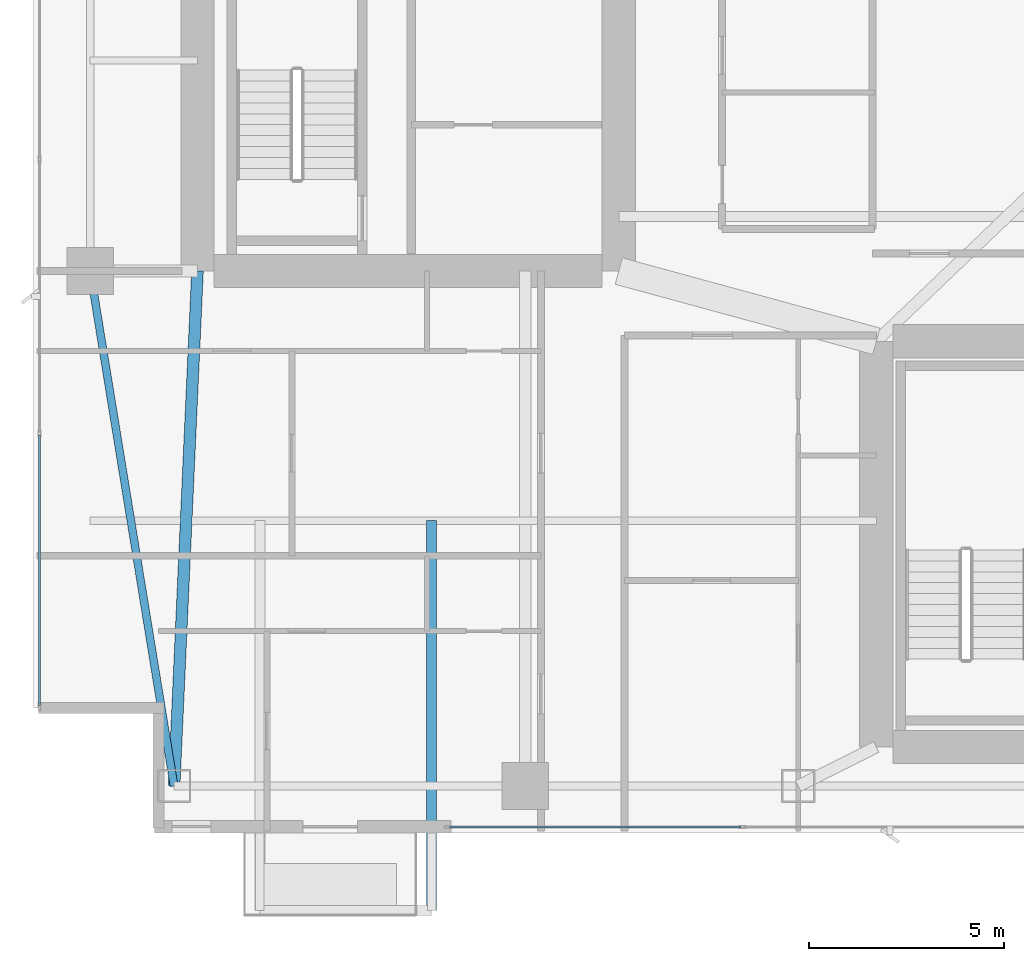
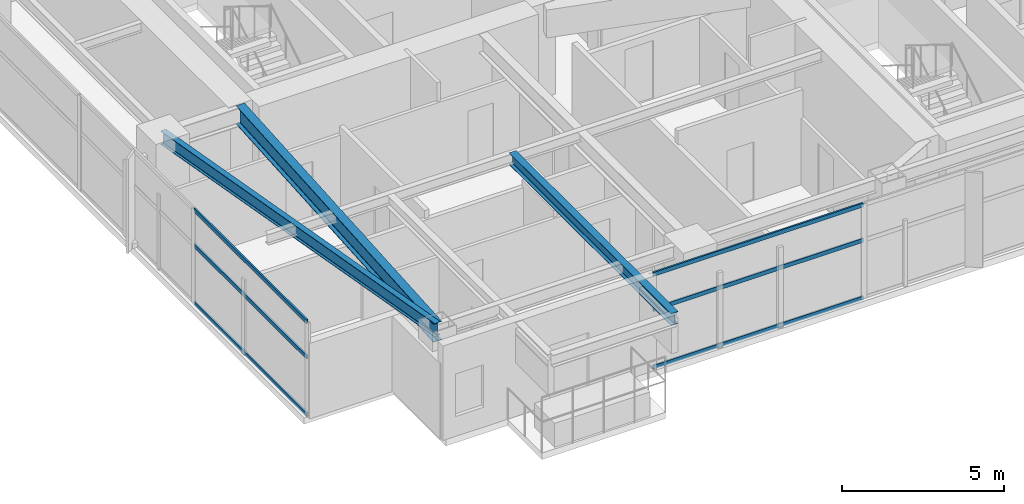
# One storey, part 3 of 28: 6 members, 3 beams, 2 elements without a shape of their own.
"""IFC4 building model written with IfcOpenShell, lengths in metres."""

from ifc_helpers import new_model, si_unit, direction, frame, origin, origin_2d, place, context, subcontext, project, spatial, hollow_rectangle, i_section, extrude, material, layer, layer_set, material_profile, profile_set, type_object, element, aggregate, save


model = new_model("IFC4")

# Units and contexts
model_context = context("Model", 3, precision=1e-05, world=origin(), true_north=direction((0.0, 1.0)))
body_context = subcontext(model_context, "Body", "Model", "MODEL_VIEW")
ifc_project = project(units=[si_unit("LENGTHUNIT", "METRE"), si_unit("AREAUNIT", "SQUARE_METRE"), si_unit("VOLUMEUNIT", "CUBIC_METRE"), si_unit("PLANEANGLEUNIT", "RADIAN"), si_unit("MASSUNIT", "GRAM", prefix="KILO")], contexts=[model_context])

# Site, building, storey
site_placement = place(None, origin())
site = spatial("IfcSite", under=ifc_project, at=site_placement, CompositionType="ELEMENT")
building_placement = place(site_placement, origin())
building = spatial("IfcBuilding", under=site, at=building_placement, Name="Calvorn Quay Hotel", CompositionType="ELEMENT")
storey_placement = place(building_placement, frame((0.0, 0.0, 101.199951171875)))
storey = spatial("IfcBuildingStorey", under=building, at=storey_placement, Name="L24", CompositionType="ELEMENT", Elevation=101.199951171875)

# Beams
ifc_material_1 = material(Name="Steel Q355B", Category="steel")
ifc_material_profile_1 = material_profile(ifc_material_1, i_section(OverallWidth=0.25, OverallDepth=0.449951171875, WebThickness=0.011962890625, FlangeThickness=0.01611328125, FilletRadius=0.01611328125, at=origin_2d()), Name="HN450x250x12x16")
ifc_profile_set_1 = profile_set([ifc_material_profile_1], Name="Steel Q355B")
beam_type_1 = type_object("IfcBeamType", Name="BM-CANT-BALC", PredefinedType="BEAM", material=ifc_profile_set_1)
beam_1_placement = place(storey_placement, frame((10.199951171875, 10.39990234375, 3.31494140625), z_axis=(0.0, -1.0, 0.0), x_axis=(1.0, 0.0, 0.0)))
element("IfcBeam", 1, at=beam_1_placement, inside=storey, type_object=beam_type_1, Name="Cantilever Balcony Beam BCB-L25-2B", PredefinedType="BEAM", context=body_context, shape_type="SweptSolid", body=[
    extrude(i_section(OverallWidth=0.25, OverallDepth=0.449951171875, WebThickness=0.011962890625, FlangeThickness=0.01611328125, FilletRadius=0.01611328125, at=origin_2d()), origin(), (0.0, 0.0, 1.0), 9.989990234375),
])
ifc_material_2 = material(Name="Steel Q390GJC", Category="steel")
ifc_material_profile_2 = material_profile(ifc_material_2, i_section(OverallWidth=0.300048828125, OverallDepth=0.699951171875, WebThickness=0.012939453125, FlangeThickness=0.02392578125, FilletRadius=0.02392578125, at=origin_2d()), Name="HN700x300x13x24")
ifc_profile_set_2 = profile_set([ifc_material_profile_2], Name="Steel Q390GJC")
beam_type_2 = type_object("IfcBeamType", Name="BM-GIRD-MAIN", PredefinedType="BEAM", material=ifc_profile_set_2)
beam_2_placement = place(storey_placement, frame((3.60009765625, 3.60009765625, 3.18994140625), z_axis=(0.045396765494, 0.998969035397, 0.0), x_axis=(-0.998969035397, 0.045396765494, 0.0)))
element("IfcBeam", 2, at=beam_2_placement, inside=storey, type_object=beam_type_2, Name="Beam BG-L24-W0", PredefinedType="BEAM", context=body_context, shape_type="SweptSolid", body=[
    extrude(i_section(OverallWidth=0.300048828125, OverallDepth=0.699951171875, WebThickness=0.012939453125, FlangeThickness=0.02392578125, FilletRadius=0.02392578125, at=origin_2d()), origin(), (0.0, 0.0, 1.0), 13.213623046875),
])
ifc_material_3 = material(Name="Steel Q355B", Category="steel")
ifc_material_profile_3 = material_profile(ifc_material_3, i_section(OverallWidth=0.199951171875, OverallDepth=0.5, WebThickness=0.010009765625, FlangeThickness=0.01611328125, FilletRadius=0.01611328125, at=origin_2d()), Name="HN500x200x10x16")
ifc_profile_set_3 = profile_set([ifc_material_profile_3], Name="Steel Q355B")
beam_type_3 = type_object("IfcBeamType", Name="BM-SPANDREL-Z1", PredefinedType="SPANDREL", material=ifc_profile_set_3)
beam_3_placement = place(storey_placement, frame((3.60009765625, 3.60009765625, 3.2900390625), z_axis=(-0.16077155054, 0.986991645627, 0.0), x_axis=(-0.986991645627, -0.16077155054, 0.0)))
element("IfcBeam", 3, at=beam_3_placement, inside=storey, type_object=beam_type_3, Name="Beam BSP-L24-W1", PredefinedType="SPANDREL", context=body_context, shape_type="SweptSolid", body=[
    extrude(i_section(OverallWidth=0.199951171875, OverallDepth=0.5, WebThickness=0.010009765625, FlangeThickness=0.01611328125, FilletRadius=0.01611328125, at=origin_2d()), origin(), (0.0, 0.0, 1.0), 13.3740234375),
])

# Curtain wall, members
ifc_material_4 = material(Name="Pale Anodised Aluminium and Low-E Glass", Category="aluminium")
ifc_layer = layer(ifc_material_4, 0.219970703125)
ifc_layer_set = layer_set([ifc_layer], Name="CW-SYS-Z2")
curtain_wall_type = type_object("IfcCurtainWallType", Name="CW-SYS-Z2", PredefinedType="NOTDEFINED", material=ifc_layer_set)
curtain_wall_1_placement = place(storey_placement, origin())
curtain_wall_1 = element("IfcCurtainWall", 4, at=curtain_wall_1_placement, inside=storey, type_object=curtain_wall_type, Name="Tower West Curtain Wall (L24)", PredefinedType="NOTDEFINED")
ifc_material_5 = material(Name="Pale Anodised Aluminium 6063-T6", Category="aluminium")
ifc_material_profile_4 = material_profile(ifc_material_5, hollow_rectangle(XDim=0.06005859375, YDim=0.14990234375, WallThickness=0.00341796875, at=origin_2d()), Name="ALU-T150x60x3.5")
ifc_profile_set_4 = profile_set([ifc_material_profile_4], Name="Pale Anodised Aluminium 6063-T6")
member_type = type_object("IfcMemberType", Name="CW-SYS-Z2-TRN", PredefinedType="USERDEFINED", material=ifc_profile_set_4)
member_1_placement = place(storey_placement, frame((0.14990234375, 5.659912109375, 0.030029296875), z_axis=(0.0, 1.0, 0.0), x_axis=(-1.0, 0.0, 0.0)))
member_1 = element("IfcMember", 5, at=member_1_placement, type_object=member_type, Name="CW-L24-W transom 1.1", ObjectType="TRANSOM", PredefinedType="USERDEFINED", context=body_context, shape_type="SweptSolid", body=[
    extrude(hollow_rectangle(XDim=0.06005859375, YDim=0.14990234375, WallThickness=0.00341796875, at=origin_2d()), origin(), (0.0, 0.0, 1.0), 6.943359375),
])
member_2_placement = place(storey_placement, frame((0.14990234375, 5.659912109375, 2.199951171875), z_axis=(0.0, 1.0, 0.0), x_axis=(-1.0, 0.0, 0.0)))
member_2 = element("IfcMember", 6, at=member_2_placement, type_object=member_type, Name="CW-L24-W transom 1.2", ObjectType="TRANSOM", PredefinedType="USERDEFINED", context=body_context, shape_type="SweptSolid", body=[
    extrude(hollow_rectangle(XDim=0.06005859375, YDim=0.14990234375, WallThickness=0.00341796875, at=origin_2d()), origin(), (0.0, 0.0, 1.0), 6.943359375),
])
member_3_placement = place(storey_placement, frame((0.14990234375, 5.659912109375, 3.530029296875), z_axis=(0.0, 1.0, 0.0), x_axis=(-1.0, 0.0, 0.0)))
member_3 = element("IfcMember", 7, at=member_3_placement, type_object=member_type, Name="CW-L24-W transom 1.3", ObjectType="TRANSOM", PredefinedType="USERDEFINED", context=body_context, shape_type="SweptSolid", body=[
    extrude(hollow_rectangle(XDim=0.06005859375, YDim=0.14990234375, WallThickness=0.00341796875, at=origin_2d()), origin(), (0.0, 0.0, 1.0), 6.943359375),
])
aggregate(curtain_wall_1, [member_1, member_2, member_3])

curtain_wall_2_placement = place(storey_placement, origin())
curtain_wall_2 = element("IfcCurtainWall", 8, at=curtain_wall_2_placement, inside=storey, type_object=curtain_wall_type, Name="Tower South Waterfront Curtain Wall (L24)", PredefinedType="NOTDEFINED")
member_4_placement = place(storey_placement, frame((10.659912109375, 2.550048828125, 0.030029296875), z_axis=(1.0, 0.0, 0.0), x_axis=(0.0, 1.0, 0.0)))
member_4 = element("IfcMember", 9, at=member_4_placement, type_object=member_type, Name="CW-L24-S transom 1.1", ObjectType="TRANSOM", PredefinedType="USERDEFINED", context=body_context, shape_type="SweptSolid", body=[
    extrude(hollow_rectangle(XDim=0.06005859375, YDim=0.14990234375, WallThickness=0.00341796875, at=origin_2d()), origin(), (0.0, 0.0, 1.0), 7.476806640625),
])
member_5_placement = place(storey_placement, frame((10.659912109375, 2.550048828125, 2.199951171875), z_axis=(1.0, 0.0, 0.0), x_axis=(0.0, 1.0, 0.0)))
member_5 = element("IfcMember", 10, at=member_5_placement, type_object=member_type, Name="CW-L24-S transom 1.2", ObjectType="TRANSOM", PredefinedType="USERDEFINED", context=body_context, shape_type="SweptSolid", body=[
    extrude(hollow_rectangle(XDim=0.06005859375, YDim=0.14990234375, WallThickness=0.00341796875, at=origin_2d()), origin(), (0.0, 0.0, 1.0), 7.476806640625),
])
member_6_placement = place(storey_placement, frame((10.659912109375, 2.550048828125, 3.530029296875), z_axis=(1.0, 0.0, 0.0), x_axis=(0.0, 1.0, 0.0)))
member_6 = element("IfcMember", 11, at=member_6_placement, type_object=member_type, Name="CW-L24-S transom 1.3", ObjectType="TRANSOM", PredefinedType="USERDEFINED", context=body_context, shape_type="SweptSolid", body=[
    extrude(hollow_rectangle(XDim=0.06005859375, YDim=0.14990234375, WallThickness=0.00341796875, at=origin_2d()), origin(), (0.0, 0.0, 1.0), 7.476806640625),
])
aggregate(curtain_wall_2, [member_4, member_5, member_6])

save(model, "model.ifc")
